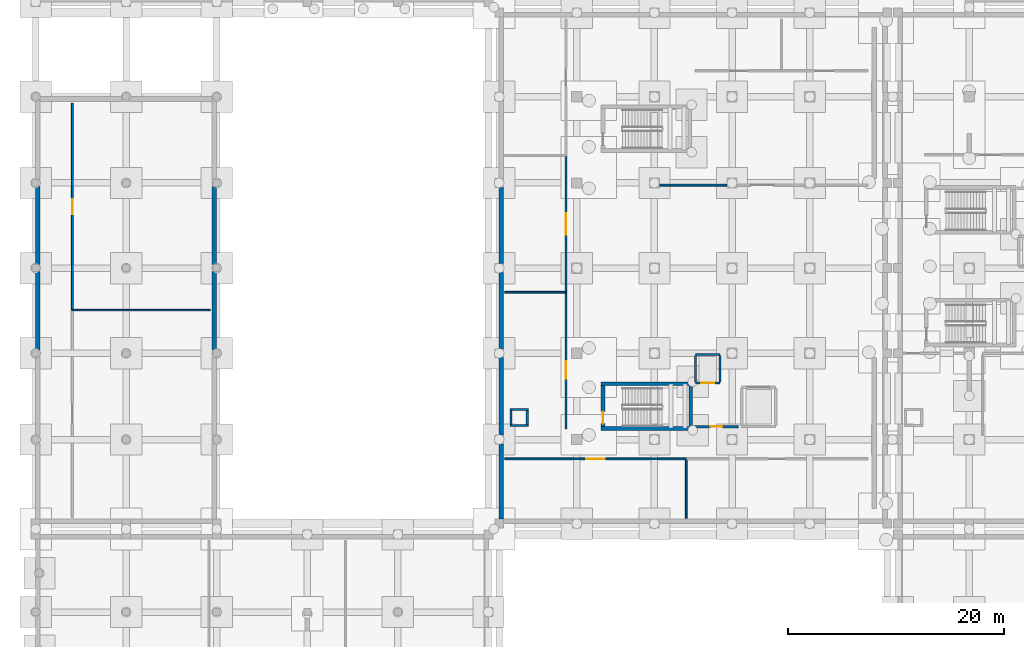
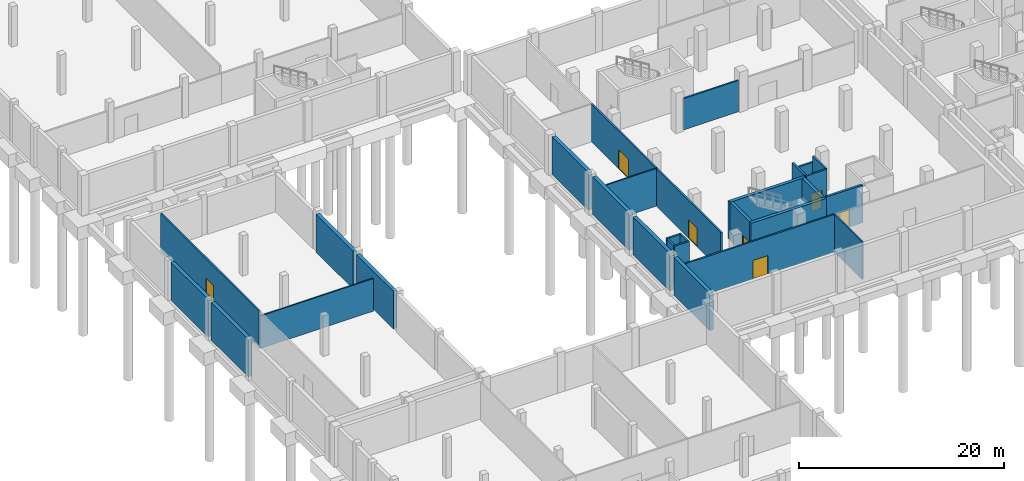
# One storey, part 15 of 29: 29 walls, 7 doors, 7 openings.
"""IFC4 building model written with IfcOpenShell, lengths in metres."""

from ifc_helpers import new_model, si_unit, direction, frame, frame_2d, origin, place, context, subcontext, project, spatial, rectangle, extrude, material, layer, layer_set, type_object, element, fill, save


model = new_model("IFC4")

# Units and contexts
model_context = context("Model", 3, precision=1e-05, world=origin(), true_north=direction((0.0, 1.0)))
body_context = subcontext(model_context, "Body", "Model", "MODEL_VIEW")
ifc_project = project(units=[si_unit("LENGTHUNIT", "METRE"), si_unit("AREAUNIT", "SQUARE_METRE"), si_unit("VOLUMEUNIT", "CUBIC_METRE"), si_unit("PLANEANGLEUNIT", "RADIAN"), si_unit("MASSUNIT", "GRAM", prefix="KILO")], contexts=[model_context])

# Site, building, storey
site_placement = place(None, origin())
site = spatial("IfcSite", under=ifc_project, at=site_placement, CompositionType="ELEMENT")
building_placement = place(site_placement, origin())
building = spatial("IfcBuilding", under=site, at=building_placement, Name="Kelarvand Opera House", CompositionType="ELEMENT")
storey_placement = place(building_placement, frame((0.0, 0.0, -9.60009765625)))
storey = spatial("IfcBuildingStorey", under=building, at=storey_placement, Name="B2", CompositionType="ELEMENT", Elevation=-9.60009765625)

# Walls
ifc_material_1 = material(Name="Acoustic double-stud gypsum partition")
ifc_layer_1 = layer(ifc_material_1, 0.14990234375, Name="Acoustic double-stud gypsum partition")
ifc_layer_set_1 = layer_set([ifc_layer_1], Name="Acoustic double-stud gypsum partition")
wall_type_1 = type_object("IfcWallType", Name="Acoustic Room Partition Wall 150", PredefinedType="PARTITIONING", material=ifc_layer_set_1)
wall_1_placement = place(storey_placement, frame((52.5, 60.26708984375, 0.0), z_axis=(0.0, 0.0, 1.0), x_axis=(1.0, 0.0, 0.0)))
element("IfcWall", 1, at=wall_1_placement, inside=storey, type_object=wall_type_1, Name="V2 B2 Partition Wall IW-150 (60)", PredefinedType="PARTITIONING", context=body_context, shape_type="SweptSolid", body=[
    extrude(rectangle(XDim=5.699951171875, YDim=0.14990234375, at=frame_2d((2.85009765625, 0.0))), origin(), (0.0, 0.0, 1.0), 4.4921875),
])
wall_2_placement = place(storey_placement, frame((69.35009765625, 39.300048828125, 0.0), z_axis=(0.0, 0.0, 1.0), x_axis=(0.0, 1.0, 0.0)))
element("IfcWall", 2, at=wall_2_placement, inside=storey, type_object=wall_type_1, Name="V2 B2 Partition Wall IW-150 (68)", PredefinedType="PARTITIONING", context=body_context, shape_type="SweptSolid", body=[
    extrude(rectangle(XDim=5.35986328125, YDim=0.14990234375, at=frame_2d((2.679931640625, 0.0))), origin(), (0.0, 0.0, 1.0), 4.4921875),
])
wall_3_placement = place(storey_placement, frame((12.39990234375, 58.60009765625, 0.0), z_axis=(0.0, 0.0, 1.0), x_axis=(1.0, 0.0, 0.0)))
element("IfcWall", 3, at=wall_3_placement, inside=storey, type_object=wall_type_1, Name="V4 B2 Partition Wall IW-150 (89)", PredefinedType="PARTITIONING", context=body_context, shape_type="SweptSolid", body=[
    extrude(rectangle(XDim=12.800048828125, YDim=0.14990234375, at=frame_2d((6.39990234375, 0.0))), origin(), (0.0, 0.0, 1.0), 3.89208984375),
])
ifc_material_2 = material(Name="Concrete C35/45", Category="concrete")
ifc_layer_2 = layer(ifc_material_2, 0.419921875, Name="Concrete C35/45", Category="concrete")
ifc_layer_set_2 = layer_set([ifc_layer_2], Name="Concrete C35/45")
wall_type_2 = type_object("IfcWallType", Name="Basement Perimeter Retaining Wall 420", PredefinedType="SHEAR", material=ifc_layer_set_2)
wall_4_placement = place(storey_placement, frame((52.2099609375, 39.2099609375, 0.0), z_axis=(0.0, 0.0, 1.0), x_axis=(0.0, 1.0, 0.0)))
element("IfcWall", 4, at=wall_4_placement, inside=storey, type_object=wall_type_2, Name="V2 B2 Retaining Wall 187", PredefinedType="SHEAR", context=body_context, shape_type="SweptSolid", body=[
    extrude(rectangle(XDim=6.97998046875, YDim=0.419921875, at=frame_2d((3.489990234375, 0.0))), origin(), (0.0, 0.0, 1.0), 4.5),
])
wall_5_placement = place(storey_placement, frame((52.2099609375, 47.010009765625, 0.0), z_axis=(0.0, 0.0, 1.0), x_axis=(0.0, 1.0, 0.0)))
element("IfcWall", 5, at=wall_5_placement, inside=storey, type_object=wall_type_2, Name="V2 B2 Retaining Wall 188", PredefinedType="SHEAR", context=body_context, shape_type="SweptSolid", body=[
    extrude(rectangle(XDim=7.179931640625, YDim=0.419921875, at=frame_2d((3.58984375, 0.0))), origin(), (0.0, 0.0, 1.0), 4.5),
])
for number, where, z_axis, x_axis, name in (
    (6, (52.2099609375, 55.010009765625, 0.0), (0.0, 0.0, 1.0), (0.0, 1.0, 0.0), "V2 B2 Retaining Wall 189"),
    (7, (52.2099609375, 62.909912109375, 0.0), (0.0, 0.0, 1.0), (0.0, 1.0, 0.0), "V2 B2 Retaining Wall 190"),
):
    element("IfcWall", number, at=place(storey_placement, frame(where, z_axis=z_axis, x_axis=x_axis)), inside=storey, type_object=wall_type_2, Name=name, PredefinedType="SHEAR", context=body_context, shape_type="SweptSolid", body=[
        extrude(rectangle(XDim=7.080078125, YDim=0.419921875, at=frame_2d((3.5400390625, 0.0))), origin(), (0.0, 0.0, 1.0), 4.5),
    ])
for number, where, z_axis, x_axis, name in (
    (8, (9.2099609375, 54.925048828125, 0.0), (0.0, 0.0, 1.0), (0.0, 1.0, 0.0), "V4 B2 Retaining Wall 454"),
    (9, (9.2099609375, 62.824951171875, 0.0), (0.0, 0.0, 1.0), (0.0, 1.0, 0.0), "V4 B2 Retaining Wall 455"),
    (10, (25.590087890625, 70.074951171875, 0.0), (0.0, 0.0, 1.0), (0.0, -1.0, 0.0), "V4 B2 Retaining Wall 460"),
    (11, (25.590087890625, 62.175048828125, 0.0), (0.0, 0.0, 1.0), (0.0, -1.0, 0.0), "V4 B2 Retaining Wall 461"),
):
    element("IfcWall", number, at=place(storey_placement, frame(where, z_axis=z_axis, x_axis=x_axis)), inside=storey, type_object=wall_type_2, Name=name, PredefinedType="SHEAR", context=body_context, shape_type="SweptSolid", body=[
        extrude(rectangle(XDim=7.25, YDim=0.419921875, at=frame_2d((3.625, 0.0))), origin(), (0.0, 0.0, 1.0), 4.5),
    ])
ifc_material_3 = material(Name="Concrete C40/50", Category="concrete")
ifc_layer_3 = layer(ifc_material_3, 0.35009765625, Name="Concrete C40/50", Category="concrete")
ifc_layer_set_3 = layer_set([ifc_layer_3], Name="Concrete C40/50")
wall_type_3 = type_object("IfcWallType", Name="Core Stair and Lift Shear Wall 350", PredefinedType="SHEAR", material=ifc_layer_set_3)
for number, where, z_axis, x_axis, name in (
    (12, (61.449951171875, 47.625, 0.0), (0.0, 0.0, 1.0), (1.0, 0.0, 0.0), "C2 Stair Core Shear Wall S B2"),
    (13, (69.949951171875, 51.77490234375, 0.0), (0.0, 0.0, 1.0), (-1.0, 0.0, 0.0), "C2 Stair Core Shear Wall N B2"),
):
    element("IfcWall", number, at=place(storey_placement, frame(where, z_axis=z_axis, x_axis=x_axis)), inside=storey, type_object=wall_type_3, Name=name, PredefinedType="SHEAR", context=body_context, shape_type="SweptSolid", body=[
        extrude(rectangle(XDim=8.5, YDim=0.35009765625, at=frame_2d((4.25, 0.0))), origin(), (0.0, 0.0, 1.0), 4.5),
    ])

# Wall, opening, door
wall_6_placement = place(storey_placement, frame((61.625, 47.800048828125, 0.0), z_axis=(0.0, 0.0, 1.0), x_axis=(0.0, 1.0, 0.0)))
wall_6 = element("IfcWall", 14, at=wall_6_placement, inside=storey, type_object=wall_type_3, Name="C2 Stair Core Shear Wall W B2", PredefinedType="SHEAR", context=body_context, shape_type="SweptSolid", body=[
    extrude(rectangle(XDim=3.800048828125, YDim=0.35009765625, at=frame_2d((1.89990234375, 0.0))), origin(), (0.0, 0.0, 1.0), 4.5),
])
opening_1_placement = place(wall_6_placement, frame((0.280029296875, 0.0, 0.0)))
opening_1 = element("IfcOpeningElement", 15, at=opening_1_placement, cuts=wall_6, Name="Opening FD-01", PredefinedType="OPENING", context=body_context, shape_type="SweptSolid", body=[
    extrude(rectangle(XDim=1.10009765625, YDim=2.080078125, at=frame_2d((0.550048828125, 1.0400390625))), frame((0.0, 0.18505859375, 0.0), z_axis=(0.0, -1.0, 0.0), x_axis=(1.0, 0.0, 0.0)), (0.0, 0.0, 1.0), 0.3701171875),
])
ifc_material_4 = material(Name="Fire-rated brushed stainless steel", Category="steel")
door_type_1 = type_object("IfcDoorType", Name="Steel Fire-Rated Stair and FF Lobby Door 1100x2080", OperationType="NOTDEFINED", PredefinedType="DOOR", material=ifc_material_4)
door_1_placement = place(opening_1_placement, origin())
door_1 = element("IfcDoor", 16, at=door_1_placement, inside=storey, type_object=door_type_1, Name="C2 Stair ST-02 Fire Door B2", OperationType="SINGLE_SWING_LEFT", OverallHeight=2.080078125, OverallWidth=1.10009765625, PredefinedType="DOOR", context=body_context, shape_type="SweptSolid", body=[
    extrude(rectangle(XDim=1.10009765625, YDim=2.080078125, at=frame_2d((0.550048828125, 1.0400390625))), frame((0.0, 0.02490234375, 0.0), z_axis=(0.0, -1.0, 0.0), x_axis=(1.0, 0.0, 0.0)), (0.0, 0.0, 1.0), 0.050048828125),
])
fill(opening_1, door_1)

# Walls
wall_7_placement = place(storey_placement, frame((69.77490234375, 51.60009765625, 0.0), z_axis=(0.0, 0.0, 1.0), x_axis=(0.0, -1.0, 0.0)))
element("IfcWall", 17, at=wall_7_placement, inside=storey, type_object=wall_type_3, Name="C2 Stair Core Shear Wall E B2", PredefinedType="SHEAR", context=body_context, shape_type="SweptSolid", body=[
    extrude(rectangle(XDim=3.800048828125, YDim=0.35009765625, at=frame_2d((1.89990234375, 0.0))), origin(), (0.0, 0.0, 1.0), 4.5),
])
ifc_layer_4 = layer(ifc_material_2, 0.179931640625, Name="Concrete C35/45", Category="concrete")
ifc_layer_set_4 = layer_set([ifc_layer_4], Name="Concrete C35/45")
wall_type_4 = type_object("IfcWallType", Name="Corridor Fire-Rated Partition Wall 180 EI90", PredefinedType="PARTITIONING", material=ifc_layer_set_4)
wall_8_placement = place(storey_placement, frame((66.875, 70.199951171875, 0.0), z_axis=(0.0, 0.0, 1.0), x_axis=(1.0, 0.0, 0.0)))
element("IfcWall", 18, at=wall_8_placement, inside=storey, type_object=wall_type_4, Name="V2 B2 Partition Wall IW-90 (56)", PredefinedType="PARTITIONING", context=body_context, shape_type="SweptSolid", body=[
    extrude(rectangle(XDim=6.25, YDim=0.179931640625, at=frame_2d((3.125, 0.0))), origin(), (0.0, 0.0, 1.0), 3.7421875),
])

# Wall, opening, door
wall_9_placement = place(storey_placement, frame((58.199951171875, 47.60009765625, 0.0), z_axis=(0.0, 0.0, 1.0), x_axis=(0.0, 1.0, 0.0)))
wall_9 = element("IfcWall", 19, at=wall_9_placement, inside=storey, type_object=wall_type_4, Name="V2 B2 Partition Wall IW-90 (59)", PredefinedType="PARTITIONING", context=body_context, shape_type="SweptSolid", body=[
    extrude(rectangle(XDim=12.6669921875, YDim=0.179931640625, at=frame_2d((6.33349609375, 0.0))), origin(), (0.0, 0.0, 1.0), 4.4921875),
])
opening_2_placement = place(wall_9_placement, frame((4.633056640625, 0.0, 0.0)))
opening_2 = element("IfcOpeningElement", 20, at=opening_2_placement, cuts=wall_9, Name="Opening D-14", PredefinedType="OPENING", context=body_context, shape_type="SweptSolid", body=[
    extrude(rectangle(XDim=1.64990234375, YDim=2.199951171875, at=frame_2d((0.824951171875, 1.10009765625))), frame((0.0, 0.10009765625, 0.0), z_axis=(0.0, -1.0, 0.0), x_axis=(1.0, 0.0, 0.0)), (0.0, 0.0, 1.0), 0.199951171875),
])
ifc_material_5 = material(Name="Acoustic walnut-veneered hardwood", Category="wood")
door_type_2 = type_object("IfcDoorType", Name="Foyer Lounge Double Door 1650x2200", OperationType="NOTDEFINED", PredefinedType="DOOR", material=ifc_material_5)
door_2_placement = place(opening_2_placement, origin())
door_2 = element("IfcDoor", 21, at=door_2_placement, inside=storey, type_object=door_type_2, Name="V2 B2 Door D-14 (21)", OperationType="DOUBLE_DOOR_SINGLE_SWING", OverallHeight=2.199951171875, OverallWidth=1.64990234375, PredefinedType="DOOR", context=body_context, shape_type="SweptSolid", body=[
    extrude(rectangle(XDim=1.64990234375, YDim=2.199951171875, at=frame_2d((0.824951171875, 1.10009765625))), frame((0.0, 0.02490234375, 0.0), z_axis=(0.0, -1.0, 0.0), x_axis=(1.0, 0.0, 0.0)), (0.0, 0.0, 1.0), 0.050048828125),
])
fill(opening_2, door_2)

wall_10_placement = place(storey_placement, frame((58.199951171875, 60.26708984375, 0.0), z_axis=(0.0, 0.0, 1.0), x_axis=(0.0, 1.0, 0.0)))
wall_10 = element("IfcWall", 22, at=wall_10_placement, inside=storey, type_object=wall_type_4, Name="V2 B2 Partition Wall IW-90 (61)", PredefinedType="PARTITIONING", context=body_context, shape_type="SweptSolid", body=[
    extrude(rectangle(XDim=12.666015625, YDim=0.179931640625, at=frame_2d((6.3330078125, 0.0))), origin(), (0.0, 0.0, 1.0), 4.4921875),
])
opening_3_placement = place(wall_10_placement, frame((5.3330078125, 0.0, 0.0)))
opening_3 = element("IfcOpeningElement", 23, at=opening_3_placement, cuts=wall_10, Name="Opening D-17", PredefinedType="OPENING", context=body_context, shape_type="SweptSolid", body=[
    extrude(rectangle(XDim=2.0, YDim=2.280029296875, at=frame_2d((1.0, 1.14013671875))), frame((0.0, 0.10009765625, 0.0), z_axis=(0.0, -1.0, 0.0), x_axis=(1.0, 0.0, 0.0)), (0.0, 0.0, 1.0), 0.199951171875),
])
door_type_3 = type_object("IfcDoorType", Name="Workshop Scenery Double Door 2000x2280", OperationType="NOTDEFINED", PredefinedType="DOOR", material=ifc_material_5)
door_3_placement = place(opening_3_placement, origin())
door_3 = element("IfcDoor", 24, at=door_3_placement, inside=storey, type_object=door_type_3, Name="V2 B2 Door D-17 (22)", OperationType="DOUBLE_DOOR_SINGLE_SWING", OverallHeight=2.280029296875, OverallWidth=2.0, PredefinedType="DOOR", context=body_context, shape_type="SweptSolid", body=[
    extrude(rectangle(XDim=2.0, YDim=2.280029296875, at=frame_2d((1.0, 1.14013671875))), frame((0.0, 0.02490234375, 0.0), z_axis=(0.0, -1.0, 0.0), x_axis=(1.0, 0.0, 0.0)), (0.0, 0.0, 1.0), 0.050048828125),
])
fill(opening_3, door_3)

wall_11_placement = place(storey_placement, frame((52.5, 44.800048828125, 0.0), z_axis=(0.0, 0.0, 1.0), x_axis=(1.0, 0.0, 0.0)))
wall_11 = element("IfcWall", 25, at=wall_11_placement, inside=storey, type_object=wall_type_4, Name="V2 B2 Partition Wall IW-90 (67)", PredefinedType="PARTITIONING", context=body_context, shape_type="SweptSolid", body=[
    extrude(rectangle(XDim=16.85009765625, YDim=0.179931640625, at=frame_2d((8.425048828125, 0.0))), origin(), (0.0, 0.0, 1.0), 4.4921875),
])
opening_4_placement = place(wall_11_placement, frame((7.56494140625, 0.0, 0.0)))
opening_4 = element("IfcOpeningElement", 26, at=opening_4_placement, cuts=wall_11, Name="Opening D-15", PredefinedType="OPENING", context=body_context, shape_type="SweptSolid", body=[
    extrude(rectangle(XDim=1.719970703125, YDim=2.219970703125, at=frame_2d((0.85986328125, 1.10986328125))), frame((0.0, 0.10009765625, 0.0), z_axis=(0.0, -1.0, 0.0), x_axis=(1.0, 0.0, 0.0)), (0.0, 0.0, 1.0), 0.199951171875),
])
door_type_4 = type_object("IfcDoorType", Name="Broadcast Control Double Door 1720x2220", OperationType="NOTDEFINED", PredefinedType="DOOR", material=ifc_material_5)
door_4_placement = place(opening_4_placement, origin())
door_4 = element("IfcDoor", 27, at=door_4_placement, inside=storey, type_object=door_type_4, Name="V2 B2 Door D-15 (26)", OperationType="DOUBLE_DOOR_SINGLE_SWING", OverallHeight=2.219970703125, OverallWidth=1.719970703125, PredefinedType="DOOR", context=body_context, shape_type="SweptSolid", body=[
    extrude(rectangle(XDim=1.719970703125, YDim=2.219970703125, at=frame_2d((0.85986328125, 1.10986328125))), frame((0.0, 0.02490234375, 0.0), z_axis=(0.0, -1.0, 0.0), x_axis=(1.0, 0.0, 0.0)), (0.0, 0.0, 1.0), 0.050048828125),
])
fill(opening_4, door_4)

wall_12_placement = place(storey_placement, frame((12.39990234375, 58.60009765625, 0.0), z_axis=(0.0, 0.0, 1.0), x_axis=(0.0, 1.0, 0.0)))
wall_12 = element("IfcWall", 28, at=wall_12_placement, inside=storey, type_object=wall_type_4, Name="V4 B2 Partition Wall IW-90 (90)", PredefinedType="PARTITIONING", context=body_context, shape_type="SweptSolid", body=[
    extrude(rectangle(XDim=19.199951171875, YDim=0.179931640625, at=frame_2d((9.60009765625, 0.0))), origin(), (0.0, 0.0, 1.0), 4.4921875),
])
opening_5_placement = place(wall_12_placement, frame((8.89990234375, 0.0, 0.0)))
opening_5 = element("IfcOpeningElement", 29, at=opening_5_placement, cuts=wall_12, Name="Opening D-03", PredefinedType="OPENING", context=body_context, shape_type="SweptSolid", body=[
    extrude(rectangle(XDim=1.39990234375, YDim=2.1201171875, at=frame_2d((0.699951171875, 1.06005859375))), frame((0.0, 0.10009765625, 0.0), z_axis=(0.0, -1.0, 0.0), x_axis=(1.0, 0.0, 0.0)), (0.0, 0.0, 1.0), 0.199951171875),
])
door_type_5 = type_object("IfcDoorType", Name="Plant and Archive Double Leaf Door 1400x2120", OperationType="NOTDEFINED", PredefinedType="DOOR", material=ifc_material_5)
door_5_placement = place(opening_5_placement, origin())
door_5 = element("IfcDoor", 30, at=door_5_placement, inside=storey, type_object=door_type_5, Name="V4 B2 Door D-03 (37)", OperationType="DOUBLE_DOOR_SINGLE_SWING", OverallHeight=2.1201171875, OverallWidth=1.39990234375, PredefinedType="DOOR", context=body_context, shape_type="SweptSolid", body=[
    extrude(rectangle(XDim=1.39990234375, YDim=2.1201171875, at=frame_2d((0.699951171875, 1.06005859375))), frame((0.0, 0.02490234375, 0.0), z_axis=(0.0, -1.0, 0.0), x_axis=(1.0, 0.0, 0.0)), (0.0, 0.0, 1.0), 0.050048828125),
])
fill(opening_5, door_5)

ifc_layer_5 = layer(ifc_material_2, 0.239990234375, Name="Concrete C35/45", Category="concrete")
ifc_layer_set_5 = layer_set([ifc_layer_5], Name="Concrete C35/45")
wall_type_5 = type_object("IfcWallType", Name="Firefighting Lobby Partition Wall 240 EI120", PredefinedType="PARTITIONING", material=ifc_layer_set_5)
wall_13_placement = place(storey_placement, frame((70.10009765625, 47.800048828125, 0.0), z_axis=(0.0, 0.0, 1.0), x_axis=(1.0, 0.0, 0.0)))
wall_13 = element("IfcWall", 31, at=wall_13_placement, inside=storey, type_object=wall_type_5, Name="V2 B2 Partition Wall IW-120 (16)", PredefinedType="PARTITIONING", context=body_context, shape_type="SweptSolid", body=[
    extrude(rectangle(XDim=4.099853515625, YDim=0.239990234375, at=frame_2d((2.0498046875, 0.0))), origin(), (0.0, 0.0, 1.0), 4.4921875),
])
opening_6_placement = place(wall_13_placement, frame((1.5, 0.0, 0.0)))
opening_6 = element("IfcOpeningElement", 32, at=opening_6_placement, cuts=wall_13, Name="Opening FD-01", PredefinedType="OPENING", context=body_context, shape_type="SweptSolid", body=[
    extrude(rectangle(XDim=1.10009765625, YDim=2.080078125, at=frame_2d((0.550048828125, 1.0400390625))), frame((0.0, 0.1298828125, 0.0), z_axis=(0.0, -1.0, 0.0), x_axis=(1.0, 0.0, 0.0)), (0.0, 0.0, 1.0), 0.260009765625),
])
door_6_placement = place(opening_6_placement, origin())
door_6 = element("IfcDoor", 33, at=door_6_placement, inside=storey, type_object=door_type_1, Name="V2 B2 Door FD-01 (5)", OperationType="SINGLE_SWING_LEFT", OverallHeight=2.080078125, OverallWidth=1.10009765625, PredefinedType="DOOR", context=body_context, shape_type="SweptSolid", body=[
    extrude(rectangle(XDim=1.10009765625, YDim=2.080078125, at=frame_2d((0.550048828125, 1.0400390625))), frame((0.0, 0.02490234375, 0.0), z_axis=(0.0, -1.0, 0.0), x_axis=(1.0, 0.0, 0.0)), (0.0, 0.0, 1.0), 0.050048828125),
])
fill(opening_6, door_6)

# Walls
ifc_layer_6 = layer(ifc_material_2, 0.199951171875, Name="Concrete C35/45", Category="concrete")
ifc_layer_set_6 = layer_set([ifc_layer_6], Name="Concrete C35/45")
wall_type_6 = type_object("IfcWallType", Name="Lift and Riser Shaft Enclosure Wall 200 EI120", PredefinedType="PARTITIONING", material=ifc_layer_set_6)
for number, where, z_axis, x_axis, name in (
    (34, (53.0, 47.89990234375, 0.0), (0.0, 0.0, 1.0), (1.0, 0.0, 0.0), "RSR-V2 B2 Riser Shaft Wall 29"),
    (35, (54.699951171875, 49.39990234375, 0.0), (0.0, 0.0, 1.0), (-1.0, 0.0, 0.0), "RSR-V2 B2 Riser Shaft Wall 30"),
):
    element("IfcWall", number, at=place(storey_placement, frame(where, z_axis=z_axis, x_axis=x_axis)), inside=storey, type_object=wall_type_6, Name=name, PredefinedType="PARTITIONING", context=body_context, shape_type="SweptSolid", body=[
        extrude(rectangle(XDim=1.699951171875, YDim=0.199951171875, at=frame_2d((0.85009765625, 0.0))), origin(), (0.0, 0.0, 1.0), 4.5),
    ])
for number, where, z_axis, x_axis, name in (
    (36, (53.10009765625, 48.0, 0.0), (0.0, 0.0, 1.0), (0.0, 1.0, 0.0), "RSR-V2 B2 Riser Shaft Wall 31"),
    (37, (54.60009765625, 49.300048828125, 0.0), (0.0, 0.0, 1.0), (0.0, -1.0, 0.0), "RSR-V2 B2 Riser Shaft Wall 32"),
):
    element("IfcWall", number, at=place(storey_placement, frame(where, z_axis=z_axis, x_axis=x_axis)), inside=storey, type_object=wall_type_6, Name=name, PredefinedType="PARTITIONING", context=body_context, shape_type="SweptSolid", body=[
        extrude(rectangle(XDim=1.300048828125, YDim=0.199951171875, at=frame_2d((0.64990234375, 0.0))), origin(), (0.0, 0.0, 1.0), 4.5),
    ])

# Wall, opening, door
wall_14_placement = place(storey_placement, frame((70.199951171875, 51.85009765625, 0.0), z_axis=(0.0, 0.0, 1.0), x_axis=(1.0, 0.0, 0.0)))
wall_14 = element("IfcWall", 38, at=wall_14_placement, inside=storey, type_object=wall_type_6, Name="V2 B2 Partition Wall SW-200 (8)", PredefinedType="PARTITIONING", context=body_context, shape_type="SweptSolid", body=[
    extrude(rectangle(XDim=2.300048828125, YDim=0.199951171875, at=frame_2d((1.14990234375, 0.0))), origin(), (0.0, 0.0, 1.0), 4.4921875),
])
opening_7_placement = place(wall_14_placement, frame((0.550048828125, 0.0, 0.0)))
opening_7 = element("IfcOpeningElement", 39, at=opening_7_placement, cuts=wall_14, Name="Opening LD-02", PredefinedType="OPENING", context=body_context, shape_type="SweptSolid", body=[
    extrude(rectangle(XDim=1.199951171875, YDim=2.14990234375, at=frame_2d((0.60009765625, 1.074951171875))), frame((0.0, 0.10986328125, 0.0), z_axis=(0.0, -1.0, 0.0), x_axis=(1.0, 0.0, 0.0)), (0.0, 0.0, 1.0), 0.219970703125),
])
door_type_6 = type_object("IfcDoorType", Name="Firefighting Lift Sliding Landing Door 1200x2150", OperationType="SLIDING_TO_LEFT", PredefinedType="DOOR", material=ifc_material_4)
door_7_placement = place(opening_7_placement, origin())
door_7 = element("IfcDoor", 40, at=door_7_placement, inside=storey, type_object=door_type_6, Name="V2 B2 Door LD-02 (3)", OperationType="SLIDING_TO_LEFT", OverallHeight=2.14990234375, OverallWidth=1.199951171875, PredefinedType="DOOR", context=body_context, shape_type="SweptSolid", body=[
    extrude(rectangle(XDim=1.199951171875, YDim=2.14990234375, at=frame_2d((0.60009765625, 1.074951171875))), frame((0.0, 0.02490234375, 0.0), z_axis=(0.0, -1.0, 0.0), x_axis=(1.0, 0.0, 0.0)), (0.0, 0.0, 1.0), 0.050048828125),
])
fill(opening_7, door_7)

# Walls
wall_15_placement = place(storey_placement, frame((72.5, 54.5, 0.0), z_axis=(0.0, 0.0, 1.0), x_axis=(-1.0, 0.0, 0.0)))
element("IfcWall", 41, at=wall_15_placement, inside=storey, type_object=wall_type_6, Name="V2 B2 Partition Wall SW-200 (9)", PredefinedType="PARTITIONING", context=body_context, shape_type="SweptSolid", body=[
    extrude(rectangle(XDim=2.300048828125, YDim=0.199951171875, at=frame_2d((1.14990234375, 0.0))), origin(), (0.0, 0.0, 1.0), 3.7421875),
])
for number, where, z_axis, x_axis, name in (
    (42, (70.199951171875, 51.949951171875, 0.0), (0.0, 0.0, 1.0), (0.0, 1.0, 0.0), "V2 B2 Partition Wall SW-200 (10)"),
    (43, (72.5, 54.39990234375, 0.0), (0.0, 0.0, 1.0), (0.0, -1.0, 0.0), "V2 B2 Partition Wall SW-200 (11)"),
):
    element("IfcWall", number, at=place(storey_placement, frame(where, z_axis=z_axis, x_axis=x_axis)), inside=storey, type_object=wall_type_6, Name=name, PredefinedType="PARTITIONING", context=body_context, shape_type="SweptSolid", body=[
        extrude(rectangle(XDim=2.449951171875, YDim=0.199951171875, at=frame_2d((1.22509765625, 0.0))), origin(), (0.0, 0.0, 1.0), 4.4921875),
    ])

save(model, "model.ifc")
